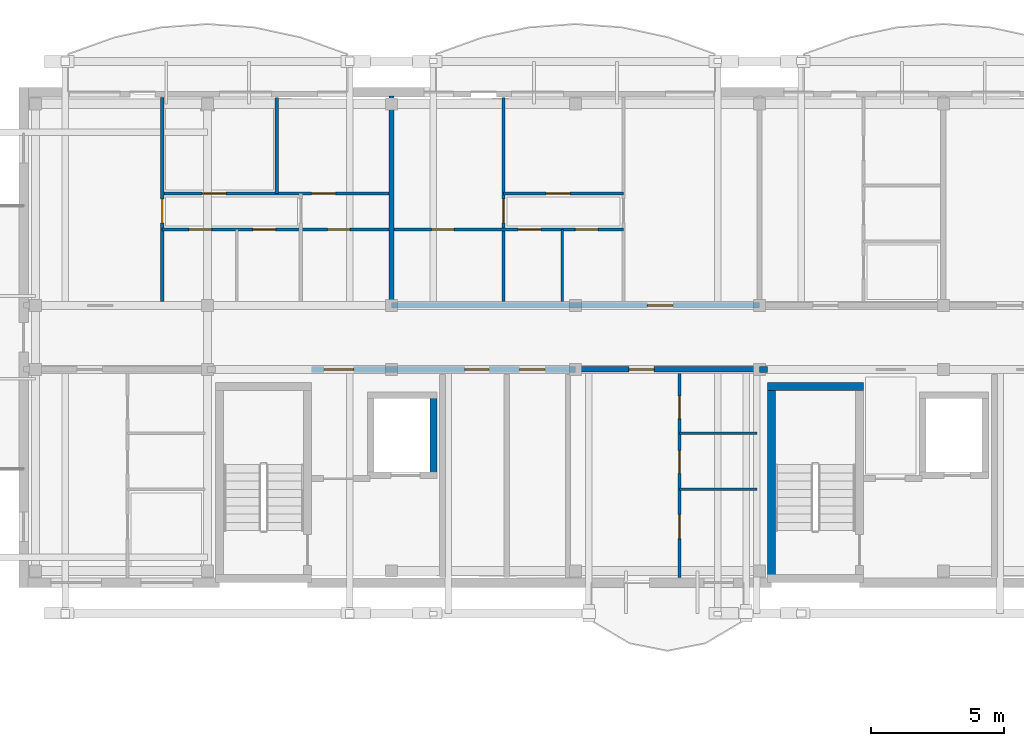
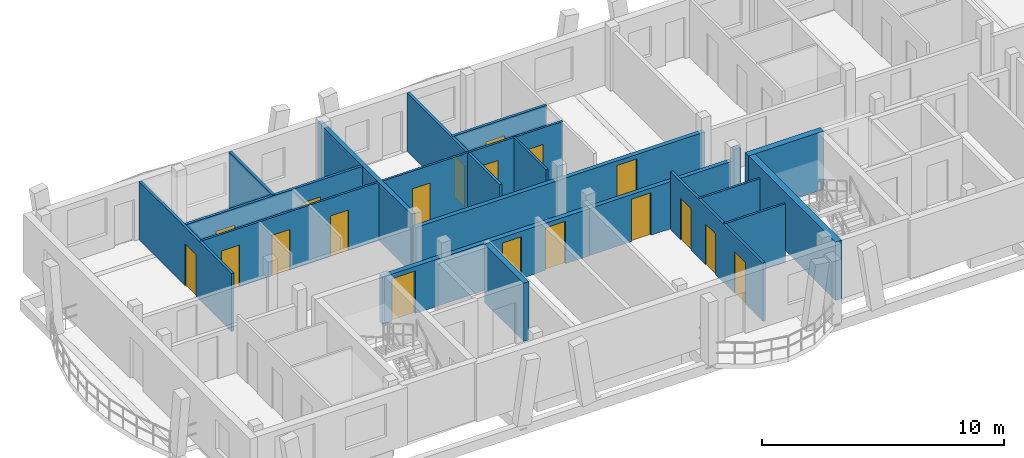
# One storey, part 25 of 52: 19 doors, 19 walls, 19 openings.
"""IFC4 building model written with IfcOpenShell, lengths in metres."""

import ifcopenshell
import ifcopenshell.guid

model = None  # the IFC model being written
_history = None  # IfcOwnerHistory: only IFC2X3 demands one
_inside = {}  # id of a spatial element -> (the spatial element, [elements in it])
_under = {}  # id of a project, library or spatial element -> (it, [spatial elements below it])
_declared = {}  # id of a project -> (the project, [libraries it declares])
_typed = {}  # id of a type object -> (the type object, [elements of that type])
_made_of = {}  # id of a material, layer set ... -> (it, [elements and type objects made of it])


def new_model(schema):
    """Start an empty IFC model of exactly this schema.

    Asked for "IFC4X3", IfcOpenShell would pick the latest addendum, in which some entities
    have other attributes; the version numbers below select the first issue.
    IFC2X3 requires an IfcOwnerHistory on every rooted entity: one is made here for all.
    """
    global model, _history
    if schema == "IFC4X3":
        model = ifcopenshell.file(schema_version=(4, 3, 0, 0))
    else:
        model = ifcopenshell.file(schema=schema)
    _inside.clear()
    _under.clear()
    _declared.clear()
    _typed.clear()
    _made_of.clear()
    _history = None
    if model.schema == "IFC2X3":
        org = make("IfcOrganization", Name="unknown")
        user = make(
            "IfcPersonAndOrganization",
            ThePerson=make("IfcPerson", FamilyName="unknown"),
            TheOrganization=org,
        )
        app = make(
            "IfcApplication",
            ApplicationDeveloper=org,
            Version="unknown",
            ApplicationFullName="unknown",
            ApplicationIdentifier="unknown",
        )
        _history = make(
            "IfcOwnerHistory",
            OwningUser=user,
            OwningApplication=app,
            ChangeAction="ADDED",
            CreationDate=0,
        )
    return model


def make(cls, **values):
    """One entity of the class cls with the attributes given. An attribute that is None is left unset."""
    return model.create_entity(
        cls, **{name: value for name, value in values.items() if value is not None}
    )


def rooted(cls, **values):
    """An entity with a GlobalId (a new one), such as an element, a storey or a relation."""
    return make(cls, GlobalId=ifcopenshell.guid.new(), OwnerHistory=_history, **values)


def si_unit(unit_type, name, prefix=None):
    """IfcSIUnit, for example si_unit("LENGTHUNIT", "METRE", prefix="MILLI")."""
    return make("IfcSIUnit", UnitType=unit_type, Prefix=prefix, Name=name)


def assignment(units):
    """IfcUnitAssignment: the units of a project."""
    return None if units is None else make("IfcUnitAssignment", Units=units)


def point(xyz):
    """IfcCartesianPoint."""
    return None if xyz is None else make("IfcCartesianPoint", Coordinates=xyz)


def direction(xyz):
    """IfcDirection."""
    return None if xyz is None else make("IfcDirection", DirectionRatios=xyz)


def frame(location, z_axis=None, x_axis=None):
    """IfcAxis2Placement3D, a coordinate frame: its origin and axes. An axis left out is left unset."""
    return make(
        "IfcAxis2Placement3D",
        Location=point(location),
        Axis=direction(z_axis),
        RefDirection=direction(x_axis),
    )


def frame_2d(location, x_axis=None):
    """IfcAxis2Placement2D, a coordinate frame in the plane: its origin and x axis."""
    return make(
        "IfcAxis2Placement2D", Location=point(location), RefDirection=direction(x_axis)
    )


def origin():
    """The frame at (0, 0, 0) with its axes left unset."""
    return frame((0.0, 0.0, 0.0))


def origin_with_axes():
    """The frame at (0, 0, 0) with the z axis (0, 0, 1) and the x axis (1, 0, 0) written out."""
    return frame((0.0, 0.0, 0.0), z_axis=(0.0, 0.0, 1.0), x_axis=(1.0, 0.0, 0.0))


def place(relative_to, where):
    """IfcLocalPlacement: puts the frame where relative to a parent placement (None: the world)."""
    return make(
        "IfcLocalPlacement", PlacementRelTo=relative_to, RelativePlacement=where
    )


def context(
    kind, dimensions, precision=None, world=None, true_north=None, identifier=None
):
    """IfcGeometricRepresentationContext, for example the 3D "Model" context."""
    return make(
        "IfcGeometricRepresentationContext",
        ContextIdentifier=identifier,
        ContextType=kind,
        CoordinateSpaceDimension=dimensions,
        Precision=precision,
        WorldCoordinateSystem=world,
        TrueNorth=true_north,
    )


def subcontext(parent, identifier, kind, view, scale=None):
    """IfcGeometricRepresentationSubContext, for example "Body" below "Model"."""
    return make(
        "IfcGeometricRepresentationSubContext",
        ContextIdentifier=identifier,
        ContextType=kind,
        ParentContext=parent,
        TargetScale=scale,
        TargetView=view,
    )


def project(units=None, contexts=None):
    """IfcProject with its units and contexts."""
    return rooted(
        "IfcProject",
        Name="project",
        RepresentationContexts=contexts,
        UnitsInContext=assignment(units),
    )


def spatial(cls, under=None, at=None, **own):
    """A site, building, storey or space (cls), placed at a placement, below another one or the project."""
    s = rooted(cls, ObjectPlacement=at, **own)
    if under is not None:
        _under.setdefault(under.id(), (under, []))[1].append(s)
    return s


def profile(cls, at=None, kind="AREA", **sizes):
    """A parametric profile (cls). Its sizes go by their IFC names, for example OverallWidth=200.0."""
    return make(cls, ProfileType=kind, Position=at, **sizes)


def rectangle(**sizes):
    """IfcRectangleProfileDef."""
    return profile("IfcRectangleProfileDef", **sizes)


def extrude(swept, where, along, depth):
    """IfcExtrudedAreaSolid: the profile swept, set in the frame where, extruded along a direction by depth."""
    return make(
        "IfcExtrudedAreaSolid",
        SweptArea=swept,
        Position=where,
        ExtrudedDirection=direction(along),
        Depth=depth,
    )


def shape(context_of_items, identifier, shape_type, items):
    """IfcShapeRepresentation: the items that make up one representation, for example the "Body"."""
    return make(
        "IfcShapeRepresentation",
        ContextOfItems=context_of_items,
        RepresentationIdentifier=identifier,
        RepresentationType=shape_type,
        Items=items,
    )


def material(Name=None, Category=None):
    """IfcMaterial."""
    return make("IfcMaterial", Name=Name, Category=Category)


def layer(
    of_material, thickness, ventilated=None, Name=None, Category=None, Priority=None
):
    """IfcMaterialLayer: one layer of a wall or slab, of a material (None: an air gap)."""
    return make(
        "IfcMaterialLayer",
        Material=of_material,
        LayerThickness=thickness,
        IsVentilated=ventilated,
        Name=Name,
        Category=Category,
        Priority=Priority,
    )


def layer_set(layers, Name=None):
    """IfcMaterialLayerSet."""
    return make("IfcMaterialLayerSet", MaterialLayers=layers, LayerSetName=Name)


def made_of(thing, what):
    """Note that an element or type object is made of a material, layer set ...; save() writes the relation."""
    if what is not None:
        _made_of.setdefault(what.id(), (what, []))[1].append(thing)
    return thing


def type_object(cls, material=None, **own):
    """A type object (cls), such as IfcWallType, which elements share."""
    return made_of(rooted(cls, **own), material)


def element(
    cls,
    number,
    at=None,
    inside=None,
    cuts=None,
    type_object=None,
    material=None,
    context=None,
    identifier="Body",
    shape_type=None,
    held_by="IfcProductDefinitionShape",
    body=None,
    shapes=None,
    **own,
):
    """One element of the class cls, such as IfcWall. Its Tag is "e" and its number.

    at: its placement. inside: the storey or other place that contains it. cuts: it is an
    opening in that element (IfcRelVoidsElement). A single representation is given by context,
    identifier, shape_type and body (its items); several are given by shapes. held_by: the class
    of the entity that holds the representations. save() writes the other relations.
    """
    e = rooted(cls, Tag="e%d" % number, ObjectPlacement=at, **own)
    if body is not None:
        shapes = [shape(context, identifier, shape_type, body)]
    if shapes is not None:
        e.Representation = make(held_by, Representations=shapes)
    if inside is not None:
        _inside.setdefault(inside.id(), (inside, []))[1].append(e)
    if cuts is not None:
        rooted(
            "IfcRelVoidsElement", RelatingBuildingElement=cuts, RelatedOpeningElement=e
        )
    if type_object is not None:
        _typed.setdefault(type_object.id(), (type_object, []))[1].append(e)
    return made_of(e, material)


def fill(opening, filler):
    """IfcRelFillsElement: the door or window that sits in an opening."""
    return rooted(
        "IfcRelFillsElement",
        RelatingOpeningElement=opening,
        RelatedBuildingElement=filler,
    )


def aggregate(whole, parts):
    """IfcRelAggregates: a whole, such as a stair, and the parts it consists of."""
    return rooted("IfcRelAggregates", RelatingObject=whole, RelatedObjects=parts)


def save(model, path):
    """Write the relations noted so far, then the file.

    IfcRelAggregates (storeys below a building ...), IfcRelContainedInSpatialStructure (elements
    in a storey), IfcRelDefinesByType, IfcRelAssociatesMaterial and IfcRelDeclares: one each for
    every whole, place, type object, material and project.
    """
    for whole, parts in _under.values():
        aggregate(whole, parts)
    for where, things in _inside.values():
        rooted(
            "IfcRelContainedInSpatialStructure",
            RelatedElements=things,
            RelatingStructure=where,
        )
    for kind, things in _typed.values():
        rooted("IfcRelDefinesByType", RelatedObjects=things, RelatingType=kind)
    for what, things in _made_of.values():
        rooted("IfcRelAssociatesMaterial", RelatedObjects=things, RelatingMaterial=what)
    for by, libraries in _declared.values():
        rooted("IfcRelDeclares", RelatingContext=by, RelatedDefinitions=libraries)
    model.write(path)


model = new_model("IFC4")

# Units and contexts
model_context = context("Model", 3, precision=1e-05, world=origin(), true_north=direction((0.0, 1.0)))
body_context = subcontext(model_context, "Body", "Model", "MODEL_VIEW")
ifc_project = project(units=[si_unit("LENGTHUNIT", "METRE"), si_unit("AREAUNIT", "SQUARE_METRE"), si_unit("VOLUMEUNIT", "CUBIC_METRE"), si_unit("PLANEANGLEUNIT", "RADIAN"), si_unit("MASSUNIT", "GRAM", prefix="KILO")], contexts=[model_context])

# Site, building, storey
site_placement = place(None, origin())
site = spatial("IfcSite", under=ifc_project, at=site_placement, CompositionType="ELEMENT")
building_placement = place(site_placement, origin())
building = spatial("IfcBuilding", under=site, at=building_placement, Name="Zavelmont Quarter", CompositionType="ELEMENT")
storey_placement = place(building_placement, frame((0.0, 0.0, 14.39990234375)))
storey = spatial("IfcBuildingStorey", under=building, at=storey_placement, Name="L04", CompositionType="ELEMENT", Elevation=14.39990234375)

# Wall
ifc_material_1 = material(Name="Calcium-silicate blockwork and acoustic plaster", Category="masonry")
ifc_layer_1 = layer(ifc_material_1, 0.199951171875)
ifc_layer_set_1 = layer_set([ifc_layer_1], Name="Calcium-silicate blockwork and acoustic plaster")
wall_type_1 = type_object("IfcWallType", Name="IW01", PredefinedType="PARTITIONING", material=ifc_layer_set_1)
wall_1_placement = place(storey_placement, frame((13.800048828125, 108.14990234375, 0.0), z_axis=(0.0, 0.0, 1.0), x_axis=(0.0, 1.0, 0.0)))
element("IfcWall", 1, at=wall_1_placement, inside=storey, type_object=wall_type_1, Name="L04 Inter-dwelling compartment wall IW01", PredefinedType="PARTITIONING", context=body_context, shape_type="SweptSolid", body=[
    extrude(rectangle(XDim=7.7001953125, YDim=0.199951171875, at=frame_2d((3.85009765625, 0.0))), origin(), (0.0, 0.0, 1.0), 2.940185546875),
])

# Wall, opening, door
wall_2_placement = place(storey_placement, frame((13.800048828125, 108.0, 0.0), z_axis=(0.0, 0.0, 1.0), x_axis=(1.0, 0.0, 0.0)))
wall_2 = element("IfcWall", 2, at=wall_2_placement, inside=storey, type_object=wall_type_1, Name="L04 Corridor compartment wall IW01", PredefinedType="PARTITIONING", context=body_context, shape_type="SweptSolid", body=[
    extrude(rectangle(XDim=13.800048828125, YDim=0.199951171875, at=frame_2d((6.89990234375, 0.0))), origin(), (0.0, 0.0, 1.0), 2.380126953125),
])
opening_1_placement = place(wall_2_placement, frame((9.60009765625, 0.0, 0.0)))
opening_1 = element("IfcOpeningElement", 3, at=opening_1_placement, cuts=wall_2, Name="Opening DR02", PredefinedType="OPENING", context=body_context, shape_type="SweptSolid", body=[
    extrude(rectangle(XDim=0.949951171875, YDim=2.14990234375, at=frame_2d((0.47509765625, 1.074951171875))), frame((0.0, 0.11181640625, 0.0), z_axis=(0.0, -1.0, 0.0), x_axis=(1.0, 0.0, 0.0)), (0.0, 0.0, 1.0), 0.223876953125),
])
ifc_material_2 = material(Name="Solid-core oak fire leaf in steel frame", Category="steel")
door_type_1 = type_object("IfcDoorType", Name="DR02", OperationType="NOTDEFINED", PredefinedType="DOOR", material=ifc_material_2)
door_1_placement = place(opening_1_placement, origin_with_axes())
door_1 = element("IfcDoor", 4, at=door_1_placement, inside=storey, type_object=door_type_1, Name="L04 door DR02", OperationType="SINGLE_SWING_RIGHT", OverallHeight=2.14990234375, OverallWidth=0.949951171875, PredefinedType="DOOR", context=body_context, shape_type="SweptSolid", body=[
    extrude(rectangle(XDim=0.949951171875, YDim=2.14990234375, at=frame_2d((0.47509765625, 1.074951171875))), frame((0.0, 0.02490234375, 0.0), z_axis=(0.0, -1.0, 0.0), x_axis=(1.0, 0.0, 0.0)), (0.0, 0.0, 1.0), 0.050048828125),
])
fill(opening_1, door_1)

wall_3_placement = place(storey_placement, frame((20.699951171875, 105.60009765625, 0.0), z_axis=(0.0, 0.0, 1.0), x_axis=(1.0, 0.0, 0.0)))
wall_3 = element("IfcWall", 5, at=wall_3_placement, inside=storey, type_object=wall_type_1, Name="L04 Corridor compartment wall IW01", PredefinedType="PARTITIONING", context=body_context, shape_type="SweptSolid", body=[
    extrude(rectangle(XDim=6.900146484375, YDim=0.199951171875, at=frame_2d((3.4501953125, 0.0))), origin(), (0.0, 0.0, 1.0), 2.380126953125),
])
opening_2_placement = place(wall_3_placement, frame((2.0, 0.0, 0.0)))
opening_2 = element("IfcOpeningElement", 6, at=opening_2_placement, cuts=wall_3, Name="Opening DR02", PredefinedType="OPENING", context=body_context, shape_type="SweptSolid", body=[
    extrude(rectangle(XDim=0.949951171875, YDim=2.14990234375, at=frame_2d((0.47509765625, 1.074951171875))), frame((0.0, 0.11181640625, 0.0), z_axis=(0.0, -1.0, 0.0), x_axis=(1.0, 0.0, 0.0)), (0.0, 0.0, 1.0), 0.223876953125),
])
door_2_placement = place(opening_2_placement, frame((0.949951171875, 0.0, 0.0), z_axis=(0.0, 0.0, 1.0), x_axis=(-1.0, 0.0, 0.0)))
door_2 = element("IfcDoor", 7, at=door_2_placement, inside=storey, type_object=door_type_1, Name="L04 door DR02", OperationType="SINGLE_SWING_RIGHT", OverallHeight=2.14990234375, OverallWidth=0.949951171875, PredefinedType="DOOR", context=body_context, shape_type="SweptSolid", body=[
    extrude(rectangle(XDim=0.949951171875, YDim=2.14990234375, at=frame_2d((0.47509765625, 1.074951171875))), frame((0.0, 0.02490234375, 0.0), z_axis=(0.0, -1.0, 0.0), x_axis=(1.0, 0.0, 0.0)), (0.0, 0.0, 1.0), 0.050048828125),
])
fill(opening_2, door_2)

# Wall, openings, doors
ifc_material_3 = material(Name="Reinforced masonry fire compartment wall", Category="masonry")
ifc_layer_2 = layer(ifc_material_3, 0.22509765625)
ifc_layer_set_2 = layer_set([ifc_layer_2], Name="Reinforced masonry fire compartment wall")
wall_type_2 = type_object("IfcWallType", Name="IW02", PredefinedType="PARTITIONING", material=ifc_layer_set_2)
wall_4_placement = place(storey_placement, frame((10.800048828125, 105.60009765625, 0.0), z_axis=(0.0, 0.0, 1.0), x_axis=(1.0, 0.0, 0.0)))
wall_4 = element("IfcWall", 8, at=wall_4_placement, inside=storey, type_object=wall_type_2, Name="L04 Core corridor fire wall IW02", PredefinedType="PARTITIONING", context=body_context, shape_type="SweptSolid", body=[
    extrude(rectangle(XDim=9.89990234375, YDim=0.22509765625, at=frame_2d((4.949951171875, 0.0))), origin(), (0.0, 0.0, 1.0), 2.380126953125),
])
opening_3_placement = place(wall_4_placement, frame((0.47509765625, 0.0, 0.0)))
opening_3 = element("IfcOpeningElement", 9, at=opening_3_placement, cuts=wall_4, Name="Opening DR10", PredefinedType="OPENING", context=body_context, shape_type="SweptSolid", body=[
    extrude(rectangle(XDim=1.10009765625, YDim=2.14990234375, at=frame_2d((0.550048828125, 1.074951171875))), frame((0.0, 0.12451171875, 0.0), z_axis=(0.0, -1.0, 0.0), x_axis=(1.0, 0.0, 0.0)), (0.0, 0.0, 1.0), 0.2490234375),
])
opening_4_placement = place(wall_4_placement, frame((5.75, 0.0, 0.0)))
opening_4 = element("IfcOpeningElement", 10, at=opening_4_placement, cuts=wall_4, Name="Opening DR11", PredefinedType="OPENING", context=body_context, shape_type="SweptSolid", body=[
    extrude(rectangle(XDim=0.89990234375, YDim=2.10009765625, at=frame_2d((0.449951171875, 1.050048828125))), frame((0.0, 0.12451171875, 0.0), z_axis=(0.0, -1.0, 0.0), x_axis=(1.0, 0.0, 0.0)), (0.0, 0.0, 1.0), 0.2490234375),
])
opening_5_placement = place(wall_4_placement, frame((7.800048828125, 0.0, 0.0)))
opening_5 = element("IfcOpeningElement", 11, at=opening_5_placement, cuts=wall_4, Name="Opening DR02", PredefinedType="OPENING", context=body_context, shape_type="SweptSolid", body=[
    extrude(rectangle(XDim=0.949951171875, YDim=2.14990234375, at=frame_2d((0.47509765625, 1.074951171875))), frame((0.0, 0.12451171875, 0.0), z_axis=(0.0, -1.0, 0.0), x_axis=(1.0, 0.0, 0.0)), (0.0, 0.0, 1.0), 0.2490234375),
])
door_3_placement = place(opening_5_placement, origin_with_axes())
door_3 = element("IfcDoor", 12, at=door_3_placement, inside=storey, type_object=door_type_1, Name="Auxiliary store corridor door", OperationType="SINGLE_SWING_RIGHT", OverallHeight=2.14990234375, OverallWidth=0.949951171875, PredefinedType="DOOR", context=body_context, shape_type="SweptSolid", body=[
    extrude(rectangle(XDim=0.949951171875, YDim=2.14990234375, at=frame_2d((0.47509765625, 1.074951171875))), frame((0.0, 0.02490234375, 0.0), z_axis=(0.0, -1.0, 0.0), x_axis=(1.0, 0.0, 0.0)), (0.0, 0.0, 1.0), 0.050048828125),
])
fill(opening_5, door_3)
ifc_material_4 = material(Name="Painted steel lobby fire door", Category="steel")
door_type_2 = type_object("IfcDoorType", Name="DR10", OperationType="NOTDEFINED", PredefinedType="DOOR", material=ifc_material_4)
door_4_placement = place(opening_3_placement, frame((1.10009765625, 0.0, 0.0), z_axis=(0.0, 0.0, 1.0), x_axis=(-1.0, 0.0, 0.0)))
door_4 = element("IfcDoor", 13, at=door_4_placement, inside=storey, type_object=door_type_2, Name="Core vestibule fire door", OperationType="SINGLE_SWING_LEFT", OverallHeight=2.14990234375, OverallWidth=1.10009765625, PredefinedType="DOOR", context=body_context, shape_type="SweptSolid", body=[
    extrude(rectangle(XDim=1.10009765625, YDim=2.14990234375, at=frame_2d((0.550048828125, 1.074951171875))), frame((0.0, 0.02490234375, 0.0), z_axis=(0.0, -1.0, 0.0), x_axis=(1.0, 0.0, 0.0)), (0.0, 0.0, 1.0), 0.050048828125),
])
fill(opening_3, door_4)
ifc_material_5 = material(Name="Painted steel service-riser fire door", Category="steel")
door_type_3 = type_object("IfcDoorType", Name="DR11", OperationType="NOTDEFINED", PredefinedType="DOOR", material=ifc_material_5)
door_5_placement = place(opening_4_placement, origin_with_axes())
door_5 = element("IfcDoor", 14, at=door_5_placement, inside=storey, type_object=door_type_3, Name="Service riser fire door", OperationType="SINGLE_SWING_LEFT", OverallHeight=2.10009765625, OverallWidth=0.89990234375, PredefinedType="DOOR", context=body_context, shape_type="SweptSolid", body=[
    extrude(rectangle(XDim=0.89990234375, YDim=2.10009765625, at=frame_2d((0.449951171875, 1.050048828125))), frame((0.0, 0.02490234375, 0.0), z_axis=(0.0, -1.0, 0.0), x_axis=(1.0, 0.0, 0.0)), (0.0, 0.0, 1.0), 0.050048828125),
])
fill(opening_4, door_5)

# Wall
wall_5_placement = place(storey_placement, frame((27.60009765625, 105.60009765625, 0.0), z_axis=(0.0, 0.0, 1.0), x_axis=(1.0, 0.0, 0.0)))
element("IfcWall", 15, at=wall_5_placement, inside=storey, type_object=wall_type_2, Name="L04 Core corridor wall IW02", PredefinedType="PARTITIONING", context=body_context, shape_type="SweptSolid", body=[
    extrude(rectangle(XDim=0.2998046875, YDim=0.22509765625, at=frame_2d((0.14990234375, 0.0))), origin(), (0.0, 0.0, 1.0), 2.940185546875),
])

# Wall, opening, door
ifc_material_6 = material(Name="Double gypsum board on acoustic steel stud", Category="steel")
ifc_layer_3 = layer(ifc_material_6, 0.125)
ifc_layer_set_3 = layer_set([ifc_layer_3], Name="Double gypsum board on acoustic steel stud")
wall_type_3 = type_object("IfcWallType", Name="IW03", PredefinedType="PARTITIONING", material=ifc_layer_set_3)
wall_6_placement = place(storey_placement, frame((5.199951171875, 108.14990234375, 0.0), z_axis=(0.0, 0.0, 1.0), x_axis=(0.0, 1.0, 0.0)))
wall_6 = element("IfcWall", 16, at=wall_6_placement, inside=storey, type_object=wall_type_3, Name="L04 Partition IW03", PredefinedType="PARTITIONING", context=body_context, shape_type="SweptSolid", body=[
    extrude(rectangle(XDim=7.650146484375, YDim=0.125, at=frame_2d((3.8251953125, 0.0))), origin(), (0.0, 0.0, 1.0), 2.940185546875),
])
opening_6_placement = place(wall_6_placement, frame((2.949951171875, 0.0, 0.0)))
opening_6 = element("IfcOpeningElement", 17, at=opening_6_placement, cuts=wall_6, Name="Opening DR05", PredefinedType="OPENING", context=body_context, shape_type="SweptSolid", body=[
    extrude(rectangle(XDim=0.89990234375, YDim=2.10009765625, at=frame_2d((0.449951171875, 1.050048828125))), frame((0.0, 0.074462890625, 0.0), z_axis=(0.0, -1.0, 0.0), x_axis=(1.0, 0.0, 0.0)), (0.0, 0.0, 1.0), 0.14892578125),
])
ifc_material_7 = material(Name="Engineered oak flush interior door")
door_type_4 = type_object("IfcDoorType", Name="DR05", OperationType="NOTDEFINED", PredefinedType="DOOR", material=ifc_material_7)
door_6_placement = place(opening_6_placement, frame((0.89990234375, 0.0, 0.0), z_axis=(0.0, 0.0, 1.0), x_axis=(-1.0, 0.0, 0.0)))
door_6 = element("IfcDoor", 18, at=door_6_placement, inside=storey, type_object=door_type_4, Name="L04 door DR05", OperationType="SINGLE_SWING_LEFT", OverallHeight=2.10009765625, OverallWidth=0.89990234375, PredefinedType="DOOR", context=body_context, shape_type="SweptSolid", body=[
    extrude(rectangle(XDim=0.89990234375, YDim=2.10009765625, at=frame_2d((0.449951171875, 1.050048828125))), frame((0.0, 0.02490234375, 0.0), z_axis=(0.0, -1.0, 0.0), x_axis=(1.0, 0.0, 0.0)), (0.0, 0.0, 1.0), 0.050048828125),
])
fill(opening_6, door_6)

# Wall
wall_7_placement = place(storey_placement, frame((9.5, 112.199951171875, 0.0), z_axis=(0.0, 0.0, 1.0), x_axis=(0.0, 1.0, 0.0)))
element("IfcWall", 19, at=wall_7_placement, inside=storey, type_object=wall_type_3, Name="L04 Partition IW03", PredefinedType="PARTITIONING", context=body_context, shape_type="SweptSolid", body=[
    extrude(rectangle(XDim=3.60009765625, YDim=0.125, at=frame_2d((1.800048828125, 0.0))), origin(), (0.0, 0.0, 1.0), 2.940185546875),
])

# Wall, openings, doors
wall_8_placement = place(storey_placement, frame((5.199951171875, 112.199951171875, 0.0), z_axis=(0.0, 0.0, 1.0), x_axis=(1.0, 0.0, 0.0)))
wall_8 = element("IfcWall", 20, at=wall_8_placement, inside=storey, type_object=wall_type_3, Name="L04 Partition IW03", PredefinedType="PARTITIONING", context=body_context, shape_type="SweptSolid", body=[
    extrude(rectangle(XDim=8.5, YDim=0.125, at=frame_2d((4.25, 0.0))), origin(), (0.0, 0.0, 1.0), 2.940185546875),
])
opening_7_placement = place(wall_8_placement, frame((1.5, 0.0, 0.0)))
opening_7 = element("IfcOpeningElement", 21, at=opening_7_placement, cuts=wall_8, Name="Opening DR05", PredefinedType="OPENING", context=body_context, shape_type="SweptSolid", body=[
    extrude(rectangle(XDim=0.89990234375, YDim=2.10009765625, at=frame_2d((0.449951171875, 1.050048828125))), frame((0.0, 0.074462890625, 0.0), z_axis=(0.0, -1.0, 0.0), x_axis=(1.0, 0.0, 0.0)), (0.0, 0.0, 1.0), 0.14892578125),
])
opening_8_placement = place(wall_8_placement, frame((5.60009765625, 0.0, 0.0)))
opening_8 = element("IfcOpeningElement", 22, at=opening_8_placement, cuts=wall_8, Name="Opening DR05", PredefinedType="OPENING", context=body_context, shape_type="SweptSolid", body=[
    extrude(rectangle(XDim=0.89990234375, YDim=2.10009765625, at=frame_2d((0.449951171875, 1.050048828125))), frame((0.0, 0.074462890625, 0.0), z_axis=(0.0, -1.0, 0.0), x_axis=(1.0, 0.0, 0.0)), (0.0, 0.0, 1.0), 0.14892578125),
])
door_7_placement = place(opening_7_placement, origin_with_axes())
door_7 = element("IfcDoor", 23, at=door_7_placement, inside=storey, type_object=door_type_4, Name="L04 door DR05", OperationType="SINGLE_SWING_RIGHT", OverallHeight=2.10009765625, OverallWidth=0.89990234375, PredefinedType="DOOR", context=body_context, shape_type="SweptSolid", body=[
    extrude(rectangle(XDim=0.89990234375, YDim=2.10009765625, at=frame_2d((0.449951171875, 1.050048828125))), frame((0.0, 0.02490234375, 0.0), z_axis=(0.0, -1.0, 0.0), x_axis=(1.0, 0.0, 0.0)), (0.0, 0.0, 1.0), 0.050048828125),
])
fill(opening_7, door_7)
door_8_placement = place(opening_8_placement, frame((0.89990234375, 0.0, 0.0), z_axis=(0.0, 0.0, 1.0), x_axis=(-1.0, 0.0, 0.0)))
door_8 = element("IfcDoor", 24, at=door_8_placement, inside=storey, type_object=door_type_4, Name="L04 door DR05", OperationType="SINGLE_SWING_LEFT", OverallHeight=2.10009765625, OverallWidth=0.89990234375, PredefinedType="DOOR", context=body_context, shape_type="SweptSolid", body=[
    extrude(rectangle(XDim=0.89990234375, YDim=2.10009765625, at=frame_2d((0.449951171875, 1.050048828125))), frame((0.0, 0.02490234375, 0.0), z_axis=(0.0, -1.0, 0.0), x_axis=(1.0, 0.0, 0.0)), (0.0, 0.0, 1.0), 0.050048828125),
])
fill(opening_8, door_8)

# Wall, opening, door
wall_9_placement = place(storey_placement, frame((18.0, 108.14990234375, 0.0), z_axis=(0.0, 0.0, 1.0), x_axis=(0.0, 1.0, 0.0)))
wall_9 = element("IfcWall", 25, at=wall_9_placement, inside=storey, type_object=wall_type_3, Name="L04 Partition IW03", PredefinedType="PARTITIONING", context=body_context, shape_type="SweptSolid", body=[
    extrude(rectangle(XDim=7.650146484375, YDim=0.125, at=frame_2d((3.8251953125, 0.0))), origin(), (0.0, 0.0, 1.0), 2.940185546875),
])
opening_9_placement = place(wall_9_placement, frame((2.949951171875, 0.0, 0.0)))
opening_9 = element("IfcOpeningElement", 26, at=opening_9_placement, cuts=wall_9, Name="Opening DR05", PredefinedType="OPENING", context=body_context, shape_type="SweptSolid", body=[
    extrude(rectangle(XDim=0.89990234375, YDim=2.10009765625, at=frame_2d((0.449951171875, 1.050048828125))), frame((0.0, 0.074462890625, 0.0), z_axis=(0.0, -1.0, 0.0), x_axis=(1.0, 0.0, 0.0)), (0.0, 0.0, 1.0), 0.14892578125),
])
door_9_placement = place(opening_9_placement, origin_with_axes())
door_9 = element("IfcDoor", 27, at=door_9_placement, inside=storey, type_object=door_type_4, Name="L04 door DR05", OperationType="SINGLE_SWING_LEFT", OverallHeight=2.10009765625, OverallWidth=0.89990234375, PredefinedType="DOOR", context=body_context, shape_type="SweptSolid", body=[
    extrude(rectangle(XDim=0.89990234375, YDim=2.10009765625, at=frame_2d((0.449951171875, 1.050048828125))), frame((0.0, 0.02490234375, 0.0), z_axis=(0.0, -1.0, 0.0), x_axis=(1.0, 0.0, 0.0)), (0.0, 0.0, 1.0), 0.050048828125),
])
fill(opening_9, door_9)

wall_10_placement = place(storey_placement, frame((18.0, 112.199951171875, 0.0), z_axis=(0.0, 0.0, 1.0), x_axis=(1.0, 0.0, 0.0)))
wall_10 = element("IfcWall", 28, at=wall_10_placement, inside=storey, type_object=wall_type_3, Name="L04 Partition IW03", PredefinedType="PARTITIONING", context=body_context, shape_type="SweptSolid", body=[
    extrude(rectangle(XDim=4.5, YDim=0.125, at=frame_2d((2.25, 0.0))), origin(), (0.0, 0.0, 1.0), 2.940185546875),
])
opening_10_placement = place(wall_10_placement, frame((1.60009765625, 0.0, 0.0)))
opening_10 = element("IfcOpeningElement", 29, at=opening_10_placement, cuts=wall_10, Name="Opening DR05", PredefinedType="OPENING", context=body_context, shape_type="SweptSolid", body=[
    extrude(rectangle(XDim=0.89990234375, YDim=2.10009765625, at=frame_2d((0.449951171875, 1.050048828125))), frame((0.0, 0.074462890625, 0.0), z_axis=(0.0, -1.0, 0.0), x_axis=(1.0, 0.0, 0.0)), (0.0, 0.0, 1.0), 0.14892578125),
])
door_10_placement = place(opening_10_placement, origin_with_axes())
door_10 = element("IfcDoor", 30, at=door_10_placement, inside=storey, type_object=door_type_4, Name="L04 door DR05", OperationType="SINGLE_SWING_LEFT", OverallHeight=2.10009765625, OverallWidth=0.89990234375, PredefinedType="DOOR", context=body_context, shape_type="SweptSolid", body=[
    extrude(rectangle(XDim=0.89990234375, YDim=2.10009765625, at=frame_2d((0.449951171875, 1.050048828125))), frame((0.0, 0.02490234375, 0.0), z_axis=(0.0, -1.0, 0.0), x_axis=(1.0, 0.0, 0.0)), (0.0, 0.0, 1.0), 0.050048828125),
])
fill(opening_10, door_10)

# Wall, openings, doors
wall_11_placement = place(storey_placement, frame((24.60009765625, 105.449951171875, 0.0), z_axis=(0.0, 0.0, 1.0), x_axis=(0.0, -1.0, 0.0)))
wall_11 = element("IfcWall", 31, at=wall_11_placement, inside=storey, type_object=wall_type_3, Name="L04 Partition IW03", PredefinedType="PARTITIONING", context=body_context, shape_type="SweptSolid", body=[
    extrude(rectangle(XDim=7.64990234375, YDim=0.125, at=frame_2d((3.824951171875, 0.0))), origin(), (0.0, 0.0, 1.0), 2.940185546875),
])
opening_11_placement = place(wall_11_placement, frame((0.85009765625, 0.0, 0.0)))
opening_11 = element("IfcOpeningElement", 32, at=opening_11_placement, cuts=wall_11, Name="Opening DR16", PredefinedType="OPENING", context=body_context, shape_type="SweptSolid", body=[
    extrude(rectangle(XDim=0.85009765625, YDim=2.10009765625, at=frame_2d((0.425048828125, 1.050048828125))), frame((0.0, 0.074462890625, 0.0), z_axis=(0.0, -1.0, 0.0), x_axis=(1.0, 0.0, 0.0)), (0.0, 0.0, 1.0), 0.14892578125),
])
opening_12_placement = place(wall_11_placement, frame((2.89990234375, 0.0, 0.0)))
opening_12 = element("IfcOpeningElement", 33, at=opening_12_placement, cuts=wall_11, Name="Opening DR06", PredefinedType="OPENING", context=body_context, shape_type="SweptSolid", body=[
    extrude(rectangle(XDim=0.85009765625, YDim=2.050048828125, at=frame_2d((0.425048828125, 1.02490234375))), frame((0.0, 0.074462890625, 0.0), z_axis=(0.0, -1.0, 0.0), x_axis=(1.0, 0.0, 0.0)), (0.0, 0.0, 1.0), 0.14892578125),
])
opening_13_placement = place(wall_11_placement, frame((5.300048828125, 0.0, 0.0)))
opening_13 = element("IfcOpeningElement", 34, at=opening_13_placement, cuts=wall_11, Name="Opening DR05", PredefinedType="OPENING", context=body_context, shape_type="SweptSolid", body=[
    extrude(rectangle(XDim=0.89990234375, YDim=2.10009765625, at=frame_2d((0.449951171875, 1.050048828125))), frame((0.0, 0.074462890625, 0.0), z_axis=(0.0, -1.0, 0.0), x_axis=(1.0, 0.0, 0.0)), (0.0, 0.0, 1.0), 0.14892578125),
])
door_11_placement = place(opening_13_placement, origin_with_axes())
door_11 = element("IfcDoor", 35, at=door_11_placement, inside=storey, type_object=door_type_4, Name="L04 door DR05", OperationType="SINGLE_SWING_RIGHT", OverallHeight=2.10009765625, OverallWidth=0.89990234375, PredefinedType="DOOR", context=body_context, shape_type="SweptSolid", body=[
    extrude(rectangle(XDim=0.89990234375, YDim=2.10009765625, at=frame_2d((0.449951171875, 1.050048828125))), frame((0.0, 0.02490234375, 0.0), z_axis=(0.0, -1.0, 0.0), x_axis=(1.0, 0.0, 0.0)), (0.0, 0.0, 1.0), 0.050048828125),
])
fill(opening_13, door_11)
ifc_material_8 = material(Name="Moisture-resistant painted wet-room door")
door_type_5 = type_object("IfcDoorType", Name="DR06", OperationType="NOTDEFINED", PredefinedType="DOOR", material=ifc_material_8)
door_12_placement = place(opening_12_placement, frame((0.85009765625, 0.0, 0.0), z_axis=(0.0, 0.0, 1.0), x_axis=(-1.0, 0.0, 0.0)))
door_12 = element("IfcDoor", 36, at=door_12_placement, inside=storey, type_object=door_type_5, Name="L04 door DR06", OperationType="SINGLE_SWING_LEFT", OverallHeight=2.050048828125, OverallWidth=0.85009765625, PredefinedType="DOOR", context=body_context, shape_type="SweptSolid", body=[
    extrude(rectangle(XDim=0.85009765625, YDim=2.050048828125, at=frame_2d((0.425048828125, 1.02490234375))), frame((0.0, 0.02490234375, 0.0), z_axis=(0.0, -1.0, 0.0), x_axis=(1.0, 0.0, 0.0)), (0.0, 0.0, 1.0), 0.050048828125),
])
fill(opening_12, door_12)
door_type_6 = type_object("IfcDoorType", Name="DR16", OperationType="NOTDEFINED", PredefinedType="DOOR", material=ifc_material_7)
door_13_placement = place(opening_11_placement, origin_with_axes())
door_13 = element("IfcDoor", 37, at=door_13_placement, inside=storey, type_object=door_type_6, Name="L04 door DR16", OperationType="SINGLE_SWING_RIGHT", OverallHeight=2.10009765625, OverallWidth=0.85009765625, PredefinedType="DOOR", context=body_context, shape_type="SweptSolid", body=[
    extrude(rectangle(XDim=0.85009765625, YDim=2.10009765625, at=frame_2d((0.425048828125, 1.050048828125))), frame((0.0, 0.02490234375, 0.0), z_axis=(0.0, -1.0, 0.0), x_axis=(1.0, 0.0, 0.0)), (0.0, 0.0, 1.0), 0.050048828125),
])
fill(opening_11, door_13)

ifc_material_9 = material(Name="Moisture-resistant gypsum board on steel stud", Category="steel")
ifc_layer_4 = layer(ifc_material_9, 0.10009765625)
ifc_layer_set_4 = layer_set([ifc_layer_4], Name="Moisture-resistant gypsum board on steel stud")
wall_type_4 = type_object("IfcWallType", Name="IW04", PredefinedType="PARTITIONING", material=ifc_layer_set_4)
wall_12_placement = place(storey_placement, frame((5.199951171875, 110.85009765625, 0.0), z_axis=(0.0, 0.0, 1.0), x_axis=(1.0, 0.0, 0.0)))
wall_12 = element("IfcWall", 38, at=wall_12_placement, inside=storey, type_object=wall_type_4, Name="L04 Partition IW04", PredefinedType="PARTITIONING", context=body_context, shape_type="SweptSolid", body=[
    extrude(rectangle(XDim=8.5, YDim=0.10009765625, at=frame_2d((4.25, 0.0))), origin(), (0.0, 0.0, 1.0), 2.940185546875),
])
opening_14_placement = place(wall_12_placement, frame((1.0, 0.0, 0.0)))
opening_14 = element("IfcOpeningElement", 39, at=opening_14_placement, cuts=wall_12, Name="Opening DR16", PredefinedType="OPENING", context=body_context, shape_type="SweptSolid", body=[
    extrude(rectangle(XDim=0.85009765625, YDim=2.10009765625, at=frame_2d((0.425048828125, 1.050048828125))), frame((0.0, 0.06201171875, 0.0), z_axis=(0.0, -1.0, 0.0), x_axis=(1.0, 0.0, 0.0)), (0.0, 0.0, 1.0), 0.1240234375),
])
opening_15_placement = place(wall_12_placement, frame((3.39990234375, 0.0, 0.0)))
opening_15 = element("IfcOpeningElement", 40, at=opening_15_placement, cuts=wall_12, Name="Opening DR06", PredefinedType="OPENING", context=body_context, shape_type="SweptSolid", body=[
    extrude(rectangle(XDim=0.85009765625, YDim=2.050048828125, at=frame_2d((0.425048828125, 1.02490234375))), frame((0.0, 0.06201171875, 0.0), z_axis=(0.0, -1.0, 0.0), x_axis=(1.0, 0.0, 0.0)), (0.0, 0.0, 1.0), 0.1240234375),
])
opening_16_placement = place(wall_12_placement, frame((6.199951171875, 0.0, 0.0)))
opening_16 = element("IfcOpeningElement", 41, at=opening_16_placement, cuts=wall_12, Name="Opening DR06", PredefinedType="OPENING", context=body_context, shape_type="SweptSolid", body=[
    extrude(rectangle(XDim=0.85009765625, YDim=2.050048828125, at=frame_2d((0.425048828125, 1.02490234375))), frame((0.0, 0.06201171875, 0.0), z_axis=(0.0, -1.0, 0.0), x_axis=(1.0, 0.0, 0.0)), (0.0, 0.0, 1.0), 0.1240234375),
])
door_14_placement = place(opening_15_placement, origin_with_axes())
door_14 = element("IfcDoor", 42, at=door_14_placement, inside=storey, type_object=door_type_5, Name="L04 door DR06", OperationType="SINGLE_SWING_RIGHT", OverallHeight=2.050048828125, OverallWidth=0.85009765625, PredefinedType="DOOR", context=body_context, shape_type="SweptSolid", body=[
    extrude(rectangle(XDim=0.85009765625, YDim=2.050048828125, at=frame_2d((0.425048828125, 1.02490234375))), frame((0.0, 0.02490234375, 0.0), z_axis=(0.0, -1.0, 0.0), x_axis=(1.0, 0.0, 0.0)), (0.0, 0.0, 1.0), 0.050048828125),
])
fill(opening_15, door_14)
door_15_placement = place(opening_16_placement, frame((0.85009765625, 0.0, 0.0), z_axis=(0.0, 0.0, 1.0), x_axis=(-1.0, 0.0, 0.0)))
door_15 = element("IfcDoor", 43, at=door_15_placement, inside=storey, type_object=door_type_5, Name="L04 door DR06", OperationType="SINGLE_SWING_LEFT", OverallHeight=2.050048828125, OverallWidth=0.85009765625, PredefinedType="DOOR", context=body_context, shape_type="SweptSolid", body=[
    extrude(rectangle(XDim=0.85009765625, YDim=2.050048828125, at=frame_2d((0.425048828125, 1.02490234375))), frame((0.0, 0.02490234375, 0.0), z_axis=(0.0, -1.0, 0.0), x_axis=(1.0, 0.0, 0.0)), (0.0, 0.0, 1.0), 0.050048828125),
])
fill(opening_16, door_15)
door_16_placement = place(opening_14_placement, frame((0.85009765625, 0.0, 0.0), z_axis=(0.0, 0.0, 1.0), x_axis=(-1.0, 0.0, 0.0)))
door_16 = element("IfcDoor", 44, at=door_16_placement, inside=storey, type_object=door_type_6, Name="L04 door DR16", OperationType="SINGLE_SWING_LEFT", OverallHeight=2.10009765625, OverallWidth=0.85009765625, PredefinedType="DOOR", context=body_context, shape_type="SweptSolid", body=[
    extrude(rectangle(XDim=0.85009765625, YDim=2.10009765625, at=frame_2d((0.425048828125, 1.050048828125))), frame((0.0, 0.02490234375, 0.0), z_axis=(0.0, -1.0, 0.0), x_axis=(1.0, 0.0, 0.0)), (0.0, 0.0, 1.0), 0.050048828125),
])
fill(opening_14, door_16)

# Wall
wall_13_placement = place(storey_placement, frame((20.199951171875, 108.14990234375, 0.0), z_axis=(0.0, 0.0, 1.0), x_axis=(0.0, 1.0, 0.0)))
element("IfcWall", 45, at=wall_13_placement, inside=storey, type_object=wall_type_4, Name="L04 Partition IW04", PredefinedType="PARTITIONING", context=body_context, shape_type="SweptSolid", body=[
    extrude(rectangle(XDim=2.7001953125, YDim=0.10009765625, at=frame_2d((1.35009765625, 0.0))), origin(), (0.0, 0.0, 1.0), 2.940185546875),
])

# Wall, openings, doors
wall_14_placement = place(storey_placement, frame((13.89990234375, 110.85009765625, 0.0), z_axis=(0.0, 0.0, 1.0), x_axis=(1.0, 0.0, 0.0)))
wall_14 = element("IfcWall", 46, at=wall_14_placement, inside=storey, type_object=wall_type_4, Name="L04 Partition IW04", PredefinedType="PARTITIONING", context=body_context, shape_type="SweptSolid", body=[
    extrude(rectangle(XDim=8.60009765625, YDim=0.10009765625, at=frame_2d((4.300048828125, 0.0))), origin(), (0.0, 0.0, 1.0), 2.940185546875),
])
opening_17_placement = place(wall_14_placement, frame((1.39990234375, 0.0, 0.0)))
opening_17 = element("IfcOpeningElement", 47, at=opening_17_placement, cuts=wall_14, Name="Opening DR06", PredefinedType="OPENING", context=body_context, shape_type="SweptSolid", body=[
    extrude(rectangle(XDim=0.85009765625, YDim=2.050048828125, at=frame_2d((0.425048828125, 1.02490234375))), frame((0.0, 0.06201171875, 0.0), z_axis=(0.0, -1.0, 0.0), x_axis=(1.0, 0.0, 0.0)), (0.0, 0.0, 1.0), 0.1240234375),
])
opening_18_placement = place(wall_14_placement, frame((4.64990234375, 0.0, 0.0)))
opening_18 = element("IfcOpeningElement", 48, at=opening_18_placement, cuts=wall_14, Name="Opening DR06", PredefinedType="OPENING", context=body_context, shape_type="SweptSolid", body=[
    extrude(rectangle(XDim=0.85009765625, YDim=2.050048828125, at=frame_2d((0.425048828125, 1.02490234375))), frame((0.0, 0.06201171875, 0.0), z_axis=(0.0, -1.0, 0.0), x_axis=(1.0, 0.0, 0.0)), (0.0, 0.0, 1.0), 0.1240234375),
])
opening_19_placement = place(wall_14_placement, frame((6.800048828125, 0.0, 0.0)))
opening_19 = element("IfcOpeningElement", 49, at=opening_19_placement, cuts=wall_14, Name="Opening DR16", PredefinedType="OPENING", context=body_context, shape_type="SweptSolid", body=[
    extrude(rectangle(XDim=0.85009765625, YDim=2.10009765625, at=frame_2d((0.425048828125, 1.050048828125))), frame((0.0, 0.06201171875, 0.0), z_axis=(0.0, -1.0, 0.0), x_axis=(1.0, 0.0, 0.0)), (0.0, 0.0, 1.0), 0.1240234375),
])
door_17_placement = place(opening_17_placement, frame((0.85009765625, 0.0, 0.0), z_axis=(0.0, 0.0, 1.0), x_axis=(-1.0, 0.0, 0.0)))
door_17 = element("IfcDoor", 50, at=door_17_placement, inside=storey, type_object=door_type_5, Name="L04 door DR06", OperationType="SINGLE_SWING_RIGHT", OverallHeight=2.050048828125, OverallWidth=0.85009765625, PredefinedType="DOOR", context=body_context, shape_type="SweptSolid", body=[
    extrude(rectangle(XDim=0.85009765625, YDim=2.050048828125, at=frame_2d((0.425048828125, 1.02490234375))), frame((0.0, 0.02490234375, 0.0), z_axis=(0.0, -1.0, 0.0), x_axis=(1.0, 0.0, 0.0)), (0.0, 0.0, 1.0), 0.050048828125),
])
fill(opening_17, door_17)
door_18_placement = place(opening_18_placement, origin_with_axes())
door_18 = element("IfcDoor", 51, at=door_18_placement, inside=storey, type_object=door_type_5, Name="L04 door DR06", OperationType="SINGLE_SWING_LEFT", OverallHeight=2.050048828125, OverallWidth=0.85009765625, PredefinedType="DOOR", context=body_context, shape_type="SweptSolid", body=[
    extrude(rectangle(XDim=0.85009765625, YDim=2.050048828125, at=frame_2d((0.425048828125, 1.02490234375))), frame((0.0, 0.02490234375, 0.0), z_axis=(0.0, -1.0, 0.0), x_axis=(1.0, 0.0, 0.0)), (0.0, 0.0, 1.0), 0.050048828125),
])
fill(opening_18, door_18)
door_19_placement = place(opening_19_placement, frame((0.85009765625, 0.0, 0.0), z_axis=(0.0, 0.0, 1.0), x_axis=(-1.0, 0.0, 0.0)))
door_19 = element("IfcDoor", 52, at=door_19_placement, inside=storey, type_object=door_type_6, Name="L04 door DR16", OperationType="SINGLE_SWING_RIGHT", OverallHeight=2.10009765625, OverallWidth=0.85009765625, PredefinedType="DOOR", context=body_context, shape_type="SweptSolid", body=[
    extrude(rectangle(XDim=0.85009765625, YDim=2.10009765625, at=frame_2d((0.425048828125, 1.050048828125))), frame((0.0, 0.02490234375, 0.0), z_axis=(0.0, -1.0, 0.0), x_axis=(1.0, 0.0, 0.0)), (0.0, 0.0, 1.0), 0.050048828125),
])
fill(opening_19, door_19)

# Walls
for number, where, z_axis, x_axis, name in (
    (53, (24.60009765625, 103.199951171875, 0.0), (0.0, 0.0, 1.0), (1.0, 0.0, 0.0), "L04 Partition IW04"),
    (54, (24.60009765625, 101.10009765625, 0.0), (0.0, 0.0, 1.0), (1.0, 0.0, 0.0), "L04 Partition IW04"),
):
    element("IfcWall", number, at=place(storey_placement, frame(where, z_axis=z_axis, x_axis=x_axis)), inside=storey, type_object=wall_type_4, Name=name, PredefinedType="PARTITIONING", context=body_context, shape_type="SweptSolid", body=[
        extrude(rectangle(XDim=2.89990234375, YDim=0.10009765625, at=frame_2d((1.449951171875, 0.0))), origin(), (0.0, 0.0, 1.0), 2.940185546875),
    ])
ifc_material_10 = material(Name="Concrete C40/50", Category="concrete")
ifc_layer_5 = layer(ifc_material_10, 0.300048828125)
ifc_layer_set_5 = layer_set([ifc_layer_5], Name="Concrete C40/50")
wall_type_5 = type_object("IfcWallType", Name="SW01", PredefinedType="SHEAR", material=ifc_layer_set_5)
wall_15_placement = place(storey_placement, frame((27.89990234375, 104.949951171875, 0.0), z_axis=(0.0, 0.0, 1.0), x_axis=(1.0, 0.0, 0.0)))
element("IfcWall", 55, at=wall_15_placement, inside=storey, type_object=wall_type_5, Name="L04 ST04 corridor shear wall SW01", PredefinedType="SHEAR", context=body_context, shape_type="SweptSolid", body=[
    extrude(rectangle(XDim=3.60009765625, YDim=0.300048828125, at=frame_2d((1.800048828125, 0.0))), origin(), (0.0, 0.0, 1.0), 2.940185546875),
])
wall_16_placement = place(storey_placement, frame((28.050048828125, 97.60009765625, 0.0), z_axis=(0.0, 0.0, 1.0), x_axis=(0.0, 1.0, 0.0)))
element("IfcWall", 56, at=wall_16_placement, inside=storey, type_object=wall_type_5, Name="L04 ST04 west shear wall SW01", PredefinedType="SHEAR", context=body_context, shape_type="SweptSolid", body=[
    extrude(rectangle(XDim=7.5, YDim=0.300048828125, at=frame_2d((3.75, 0.0))), origin(), (0.0, 0.0, 1.0), 2.940185546875),
])
ifc_layer_6 = layer(ifc_material_10, 0.25)
ifc_layer_set_6 = layer_set([ifc_layer_6], Name="Concrete C40/50")
wall_type_6 = type_object("IfcWallType", Name="SW02", PredefinedType="SHEAR", material=ifc_layer_set_6)
wall_17_placement = place(storey_placement, frame((15.375, 101.5, 0.0), z_axis=(0.0, 0.0, 1.0), x_axis=(0.0, 1.0, 0.0)))
element("IfcWall", 57, at=wall_17_placement, inside=storey, type_object=wall_type_6, Name="L04 Lift FL02 east shaft wall SW02", PredefinedType="SHEAR", context=body_context, shape_type="SweptSolid", body=[
    extrude(rectangle(XDim=3.25, YDim=0.25, at=frame_2d((1.625, 0.0))), origin(), (0.0, 0.0, 1.0), 2.940185546875),
])

save(model, "model.ifc")
